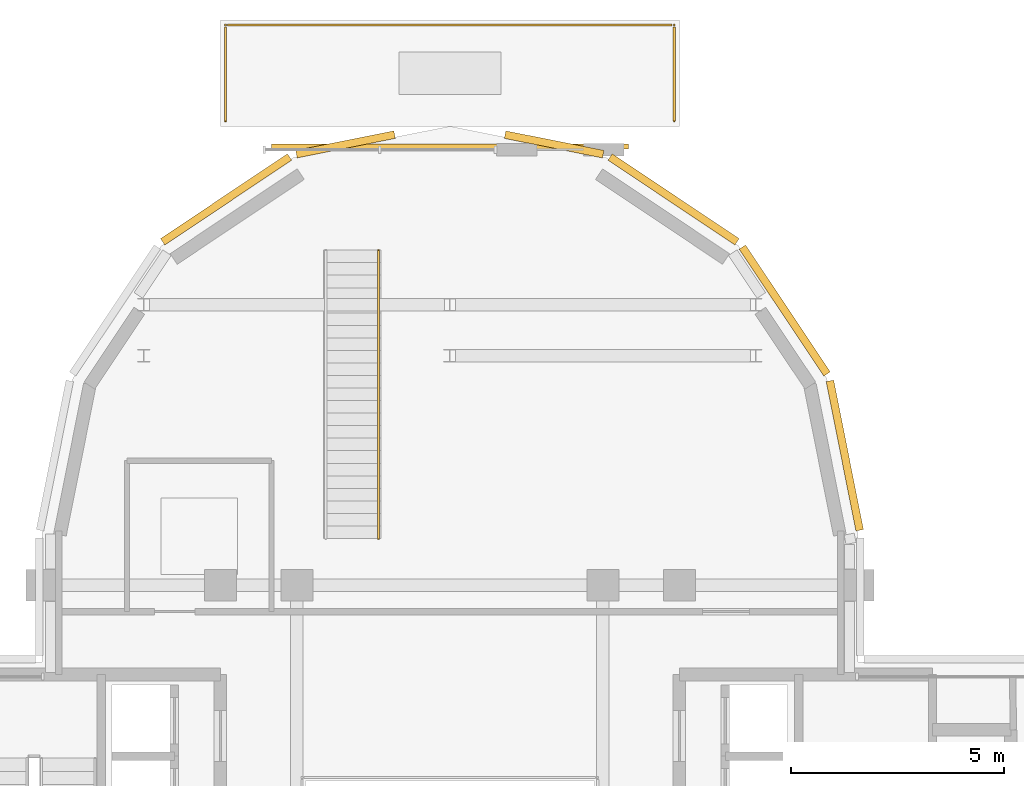
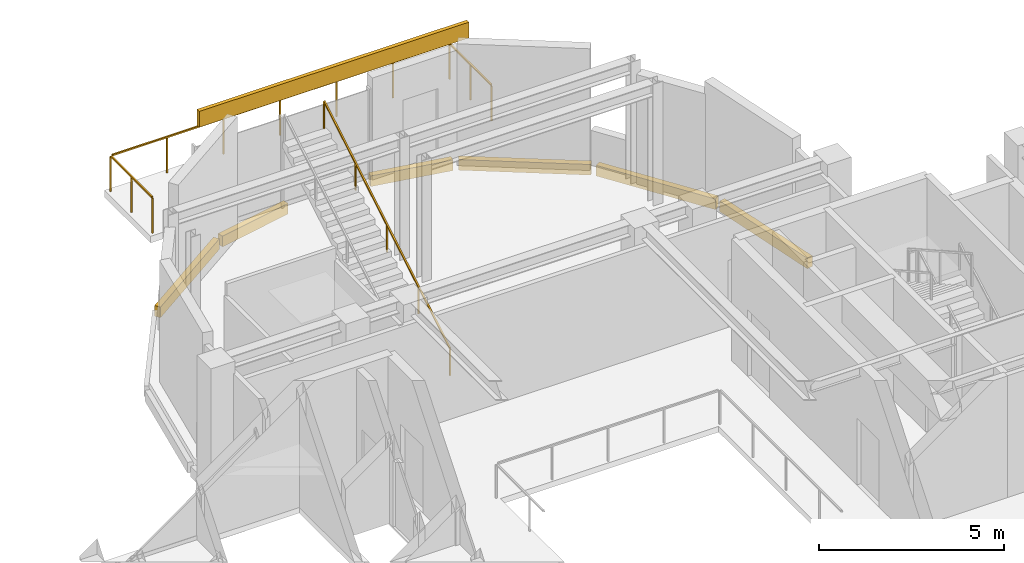
# One storey, part 13 of 14: 7 coverings, 2 railings.
"""IFC4 building model written with IfcOpenShell, lengths in metres."""

from ifc_helpers import new_model, si_unit, direction, frame, origin, origin_2d, place, context, subcontext, project, spatial, rectangle, extrude, source, transform, mapped, material, layer, layer_set, type_object, element, save


model = new_model("IFC4")

# Units and contexts
model_context = context("Model", 3, precision=1e-05, world=origin(), true_north=direction((0.0, 1.0)))
body_context = subcontext(model_context, "Body", "Model", "MODEL_VIEW")
ifc_project = project(units=[si_unit("LENGTHUNIT", "METRE"), si_unit("AREAUNIT", "SQUARE_METRE"), si_unit("VOLUMEUNIT", "CUBIC_METRE"), si_unit("PLANEANGLEUNIT", "RADIAN"), si_unit("MASSUNIT", "GRAM", prefix="KILO")], contexts=[model_context])

# Site, building, storey
site_placement = place(None, origin())
site = spatial("IfcSite", under=ifc_project, at=site_placement, CompositionType="ELEMENT")
building_placement = place(site_placement, origin())
building = spatial("IfcBuilding", under=site, at=building_placement, Name="Keilestroom Media Tower", CompositionType="ELEMENT")
storey_placement = place(building_placement, frame((0.0, 0.0, 219.39990234375)))
storey = spatial("IfcBuildingStorey", under=building, at=storey_placement, Name="L60", CompositionType="ELEMENT", Elevation=219.39990234375)

# Railings
ifc_material_1 = material(Name="Brushed Stainless Steel 1.4301", Category="steel")
railing_type_1 = type_object("IfcRailingType", Name="Stair-Pitch-Handrail-920", PredefinedType="HANDRAIL", material=ifc_material_1)
railing_1_placement = place(storey_placement, frame((-1.679931640625, 10.10009765625, 0.0)))
element("IfcRailing", 1, at=railing_1_placement, inside=storey, type_object=railing_type_1, Name="ST-F1 Handrail R", PredefinedType="HANDRAIL", context=body_context, shape_type="SweptSolid", body=[
    extrude(rectangle(XDim=0.048095703125, YDim=0.048095703125, at=origin_2d()), frame((0.0, 0.0, 0.89599609375), z_axis=(0.0, 0.860043605927, 0.510220536537), x_axis=(-1.0, 0.0, 0.0)), (0.0, 0.0, 1.0), 7.888916015625),
    extrude(rectangle(XDim=0.0419921875, YDim=0.0419921875, at=origin_2d()), origin(), (0.0, 0.0, 1.0), 0.86376953125),
    extrude(rectangle(XDim=0.0419921875, YDim=0.0419921875, at=origin_2d()), frame((0.0, 1.6962890625, 1.00634765625)), (0.0, 0.0, 1.0), 0.86376953125),
    extrude(rectangle(XDim=0.0419921875, YDim=0.0419921875, at=origin_2d()), frame((0.0, 3.392578125, 2.0126953125)), (0.0, 0.0, 1.0), 0.86376953125),
    extrude(rectangle(XDim=0.0419921875, YDim=0.0419921875, at=origin_2d()), frame((0.0, 5.088623046875, 3.018798828125)), (0.0, 0.0, 1.0), 0.86376953125),
    extrude(rectangle(XDim=0.0419921875, YDim=0.0419921875, at=origin_2d()), frame((0.0, 6.784912109375, 4.025146484375)), (0.0, 0.0, 1.0), 0.86376953125),
])
ifc_material_2 = material(Name="Laminated Safety Glass & Bronze Aluminium", Category="aluminium")
railing_type_2 = type_object("IfcRailingType", Name="Terrace-And-Atrium-Guard-Balustrade-GD-SKY", PredefinedType="BALUSTRADE", material=ifc_material_2)
railing_2_placement = place(storey_placement, frame((-5.280029296875, 19.919921875, 0.0)))
element("IfcRailing", 2, at=railing_2_placement, inside=storey, type_object=railing_type_2, Name="L60 Terrace Perimeter Guard SG60-N", PredefinedType="BALUSTRADE", context=body_context, shape_type="SweptSolid", body=[
    extrude(rectangle(XDim=0.048095703125, YDim=0.048095703125, at=origin_2d()), frame((0.0, 0.0, 1.17578125), z_axis=(0.0, 1.0, 0.0), x_axis=(-1.0, 0.0, 0.0)), (0.0, 0.0, 1.0), 2.2119140625),
    extrude(rectangle(XDim=0.048095703125, YDim=0.048095703125, at=origin_2d()), frame((0.048095703125, 2.260009765625, 1.17578125), z_axis=(1.0, 0.0, 0.0), x_axis=(0.0, 1.0, 0.0)), (0.0, 0.0, 1.0), 10.4638671875),
    extrude(rectangle(XDim=0.048095703125, YDim=0.048095703125, at=origin_2d()), frame((10.56005859375, 2.2119140625, 1.17578125), z_axis=(0.0, -1.0, 0.0), x_axis=(1.0, 0.0, 0.0)), (0.0, 0.0, 1.0), 2.2119140625),
    extrude(rectangle(XDim=0.0419921875, YDim=0.0419921875, at=origin_2d()), origin(), (0.0, 0.0, 1.0), 1.143798828125),
    extrude(rectangle(XDim=0.0419921875, YDim=0.0419921875, at=origin_2d()), frame((0.0, 1.1298828125, 0.0)), (0.0, 0.0, 1.0), 1.143798828125),
    extrude(rectangle(XDim=0.0419921875, YDim=0.0419921875, at=origin_2d()), frame((0.0, 2.260009765625, 0.0)), (0.0, 0.0, 1.0), 1.143798828125),
    extrude(rectangle(XDim=0.0419921875, YDim=0.0419921875, at=origin_2d()), frame((1.760009765625, 2.260009765625, 0.0)), (0.0, 0.0, 1.0), 1.143798828125),
    extrude(rectangle(XDim=0.0419921875, YDim=0.0419921875, at=origin_2d()), frame((3.52001953125, 2.260009765625, 0.0)), (0.0, 0.0, 1.0), 1.143798828125),
    extrude(rectangle(XDim=0.0419921875, YDim=0.0419921875, at=origin_2d()), frame((5.280029296875, 2.260009765625, 0.0)), (0.0, 0.0, 1.0), 1.143798828125),
    extrude(rectangle(XDim=0.0419921875, YDim=0.0419921875, at=origin_2d()), frame((7.0400390625, 2.260009765625, 0.0)), (0.0, 0.0, 1.0), 1.143798828125),
    extrude(rectangle(XDim=0.0419921875, YDim=0.0419921875, at=origin_2d()), frame((8.800048828125, 2.260009765625, 0.0)), (0.0, 0.0, 1.0), 1.143798828125),
    extrude(rectangle(XDim=0.0419921875, YDim=0.0419921875, at=origin_2d()), frame((10.56005859375, 2.260009765625, 0.0)), (0.0, 0.0, 1.0), 1.143798828125),
    extrude(rectangle(XDim=0.0419921875, YDim=0.0419921875, at=origin_2d()), frame((10.56005859375, 1.1298828125, 0.0)), (0.0, 0.0, 1.0), 1.143798828125),
    extrude(rectangle(XDim=0.0419921875, YDim=0.0419921875, at=origin_2d()), frame((10.56005859375, 0.0, 0.0)), (0.0, 0.0, 1.0), 1.143798828125),
])

# Coverings
ifc_material_3 = material(Name="Precast concrete C40/50", Category="concrete")
ifc_layer = layer(ifc_material_3, 0.1201171875)
ifc_layer_set = layer_set([ifc_layer], Name="Precast concrete C40/50")
covering_type = type_object("IfcCoveringType", Name="Exterior-Precast-Spandrel-Cladding-Panel-120", PredefinedType="CLADDING", material=ifc_layer_set)
shared_shape_1 = source(origin(), body_context, "Body", "SweptSolid", [
    extrude(rectangle(XDim=8.39990234375, YDim=0.1201171875, at=origin_2d()), origin(), (0.0, 0.0, 1.0), 0.52001953125),
])
covering_1_placement = place(storey_placement, frame((0.0, 19.320068359375, 3.5), z_axis=(0.0, 0.0, 1.0), x_axis=(1.0, 0.0, 0.0)))
element("IfcCovering", 3, at=covering_1_placement, inside=storey, type_object=covering_type, Name="L60 Precast Spandrel Cladding N", PredefinedType="CLADDING", context=body_context, shape_type="MappedRepresentation", body=[
    mapped(shared_shape_1, transform((0.0, 0.0, 0.0), x_axis=(1.0, 0.0, 0.0), y_axis=(0.0, 1.0, 0.0), z_axis=(0.0, 0.0, 1.0), scale=1.0)),
])
shared_shape_2 = source(origin(), body_context, "Body", "SweptSolid", [
    extrude(rectangle(XDim=3.58349609375, YDim=0.179931640625, at=origin_2d()), origin(), (0.0, 0.0, 1.0), 0.35009765625),
])
covering_2_placement = place(storey_placement, frame((9.29296875, 12.051513671875, -0.530029296875), z_axis=(0.0, 0.0, 1.0), x_axis=(0.195098880975, -0.980783577882, 0.0)))
element("IfcCovering", 4, at=covering_2_placement, inside=storey, type_object=covering_type, Name="L60 Precast Slab-Edge Fascia Cornice 35", PredefinedType="CLADDING", context=body_context, shape_type="MappedRepresentation", body=[
    mapped(shared_shape_2, transform((0.0, 0.0, 0.0), x_axis=(1.0, 0.0, 0.0), y_axis=(0.0, 1.0, 0.0), z_axis=(0.0, 0.0, 1.0), scale=1.0)),
])
shared_shape_3 = source(origin(), body_context, "Body", "SweptSolid", [
    extrude(rectangle(XDim=3.589599609375, YDim=0.179931640625, at=origin_2d()), origin(), (0.0, 0.0, 1.0), 0.35009765625),
])
for number, where, z_axis, x_axis, name in (
    (5, (-5.264404296875, 18.07861328125, -0.530029296875), (0.0, 0.0, 1.0), (0.831466703332, 0.555574586577, 0.0), "L60 Precast Slab-Edge Fascia Cornice 30"),
    (6, (5.264404296875, 18.07861328125, -0.530029296875), (0.0, 0.0, 1.0), (0.831466703332, -0.555574586577, 0.0), "L60 Precast Slab-Edge Fascia Cornice 33"),
    (7, (7.878662109375, 15.46435546875, -0.530029296875), (0.0, 0.0, 1.0), (0.555574586577, -0.831466703332, 0.0), "L60 Precast Slab-Edge Fascia Cornice 34"),
):
    element("IfcCovering", number, at=place(storey_placement, frame(where, z_axis=z_axis, x_axis=x_axis)), inside=storey, type_object=covering_type, Name=name, PredefinedType="CLADDING", context=body_context, shape_type="MappedRepresentation", body=[
        mapped(shared_shape_3, transform((0.0, 0.0, 0.0), x_axis=(1.0, 0.0, 0.0), y_axis=(0.0, 1.0, 0.0), z_axis=(0.0, 0.0, 1.0), scale=1.0)),
    ])
shared_shape_4 = source(origin(), body_context, "Body", "SweptSolid", [
    extrude(rectangle(XDim=2.353515625, YDim=0.179931640625, at=origin_2d()), origin(), (0.0, 0.0, 1.0), 0.35009765625),
])
for number, where, z_axis, x_axis, name in (
    (8, (-2.454833984375, 19.372802734375, -0.530029296875), (0.0, 0.0, 1.0), (0.980783577882, 0.195098880975, 0.0), "L60 Precast Slab-Edge Fascia Cornice 31"),
    (9, (2.454833984375, 19.372802734375, -0.530029296875), (0.0, 0.0, 1.0), (0.980783577882, -0.195098880975, 0.0), "L60 Precast Slab-Edge Fascia Cornice 32"),
):
    element("IfcCovering", number, at=place(storey_placement, frame(where, z_axis=z_axis, x_axis=x_axis)), inside=storey, type_object=covering_type, Name=name, PredefinedType="CLADDING", context=body_context, shape_type="MappedRepresentation", body=[
        mapped(shared_shape_4, transform((0.0, 0.0, 0.0), x_axis=(1.0, 0.0, 0.0), y_axis=(0.0, 1.0, 0.0), z_axis=(0.0, 0.0, 1.0), scale=1.0)),
    ])

save(model, "model.ifc")
